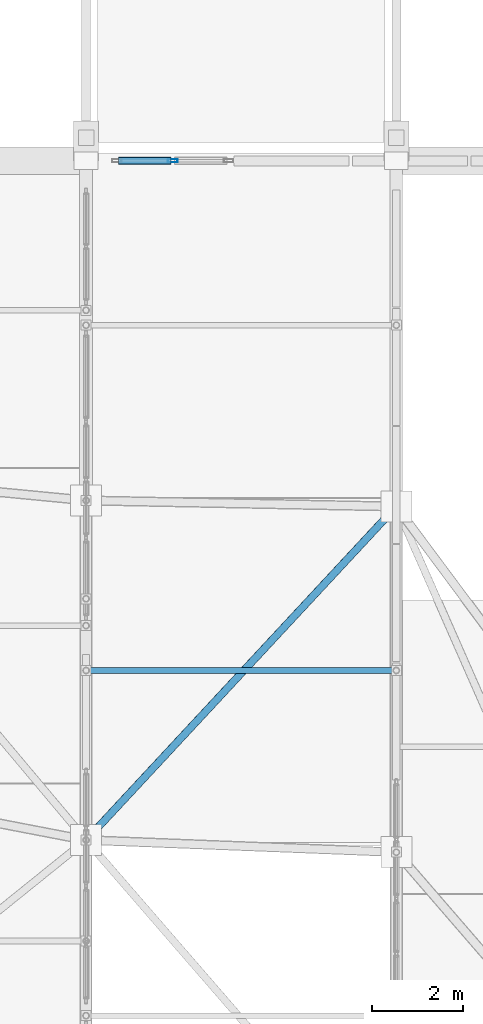
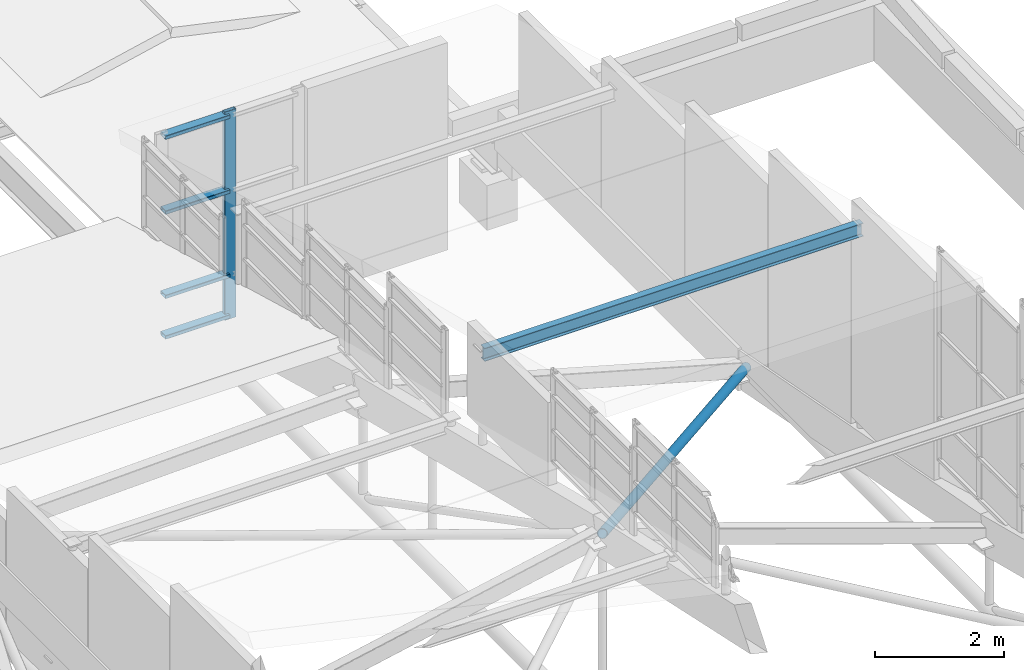
# One storey, part 59 of 188: 7 members, 1 element without a shape of its own.
"""IFC4 building model written with IfcOpenShell, lengths in metres."""

import ifcopenshell
import ifcopenshell.guid

model = None  # the IFC model being written
_history = None  # IfcOwnerHistory: only IFC2X3 demands one
_inside = {}  # id of a spatial element -> (the spatial element, [elements in it])
_under = {}  # id of a project, library or spatial element -> (it, [spatial elements below it])
_declared = {}  # id of a project -> (the project, [libraries it declares])
_typed = {}  # id of a type object -> (the type object, [elements of that type])
_made_of = {}  # id of a material, layer set ... -> (it, [elements and type objects made of it])


def new_model(schema):
    """Start an empty IFC model of exactly this schema.

    Asked for "IFC4X3", IfcOpenShell would pick the latest addendum, in which some entities
    have other attributes; the version numbers below select the first issue.
    IFC2X3 requires an IfcOwnerHistory on every rooted entity: one is made here for all.
    """
    global model, _history
    if schema == "IFC4X3":
        model = ifcopenshell.file(schema_version=(4, 3, 0, 0))
    else:
        model = ifcopenshell.file(schema=schema)
    _inside.clear()
    _under.clear()
    _declared.clear()
    _typed.clear()
    _made_of.clear()
    _history = None
    if model.schema == "IFC2X3":
        org = make("IfcOrganization", Name="unknown")
        user = make(
            "IfcPersonAndOrganization",
            ThePerson=make("IfcPerson", FamilyName="unknown"),
            TheOrganization=org,
        )
        app = make(
            "IfcApplication",
            ApplicationDeveloper=org,
            Version="unknown",
            ApplicationFullName="unknown",
            ApplicationIdentifier="unknown",
        )
        _history = make(
            "IfcOwnerHistory",
            OwningUser=user,
            OwningApplication=app,
            ChangeAction="ADDED",
            CreationDate=0,
        )
    return model


def make(cls, **values):
    """One entity of the class cls with the attributes given. An attribute that is None is left unset."""
    return model.create_entity(
        cls, **{name: value for name, value in values.items() if value is not None}
    )


def rooted(cls, **values):
    """An entity with a GlobalId (a new one), such as an element, a storey or a relation."""
    return make(cls, GlobalId=ifcopenshell.guid.new(), OwnerHistory=_history, **values)


def si_unit(unit_type, name, prefix=None):
    """IfcSIUnit, for example si_unit("LENGTHUNIT", "METRE", prefix="MILLI")."""
    return make("IfcSIUnit", UnitType=unit_type, Prefix=prefix, Name=name)


def assignment(units):
    """IfcUnitAssignment: the units of a project."""
    return None if units is None else make("IfcUnitAssignment", Units=units)


def point(xyz):
    """IfcCartesianPoint."""
    return None if xyz is None else make("IfcCartesianPoint", Coordinates=xyz)


def direction(xyz):
    """IfcDirection."""
    return None if xyz is None else make("IfcDirection", DirectionRatios=xyz)


def frame(location, z_axis=None, x_axis=None):
    """IfcAxis2Placement3D, a coordinate frame: its origin and axes. An axis left out is left unset."""
    return make(
        "IfcAxis2Placement3D",
        Location=point(location),
        Axis=direction(z_axis),
        RefDirection=direction(x_axis),
    )


def frame_2d(location, x_axis=None):
    """IfcAxis2Placement2D, a coordinate frame in the plane: its origin and x axis."""
    return make(
        "IfcAxis2Placement2D", Location=point(location), RefDirection=direction(x_axis)
    )


def origin():
    """The frame at (0, 0, 0) with its axes left unset."""
    return frame((0.0, 0.0, 0.0))


def origin_2d():
    """The frame at (0, 0) in the plane with its x axis left unset."""
    return frame_2d((0.0, 0.0))


def place(relative_to, where):
    """IfcLocalPlacement: puts the frame where relative to a parent placement (None: the world)."""
    return make(
        "IfcLocalPlacement", PlacementRelTo=relative_to, RelativePlacement=where
    )


def context(
    kind, dimensions, precision=None, world=None, true_north=None, identifier=None
):
    """IfcGeometricRepresentationContext, for example the 3D "Model" context."""
    return make(
        "IfcGeometricRepresentationContext",
        ContextIdentifier=identifier,
        ContextType=kind,
        CoordinateSpaceDimension=dimensions,
        Precision=precision,
        WorldCoordinateSystem=world,
        TrueNorth=true_north,
    )


def subcontext(parent, identifier, kind, view, scale=None):
    """IfcGeometricRepresentationSubContext, for example "Body" below "Model"."""
    return make(
        "IfcGeometricRepresentationSubContext",
        ContextIdentifier=identifier,
        ContextType=kind,
        ParentContext=parent,
        TargetScale=scale,
        TargetView=view,
    )


def project(units=None, contexts=None):
    """IfcProject with its units and contexts."""
    return rooted(
        "IfcProject",
        Name="project",
        RepresentationContexts=contexts,
        UnitsInContext=assignment(units),
    )


def spatial(cls, under=None, at=None, **own):
    """A site, building, storey or space (cls), placed at a placement, below another one or the project."""
    s = rooted(cls, ObjectPlacement=at, **own)
    if under is not None:
        _under.setdefault(under.id(), (under, []))[1].append(s)
    return s


def profile(cls, at=None, kind="AREA", **sizes):
    """A parametric profile (cls). Its sizes go by their IFC names, for example OverallWidth=200.0."""
    return make(cls, ProfileType=kind, Position=at, **sizes)


def hollow_rectangle(**sizes):
    """IfcRectangleHollowProfileDef."""
    return profile("IfcRectangleHollowProfileDef", **sizes)


def hollow_circle(**sizes):
    """IfcCircleHollowProfileDef."""
    return profile("IfcCircleHollowProfileDef", **sizes)


def i_section(**sizes):
    """IfcIShapeProfileDef."""
    return profile("IfcIShapeProfileDef", **sizes)


def extrude(swept, where, along, depth):
    """IfcExtrudedAreaSolid: the profile swept, set in the frame where, extruded along a direction by depth."""
    return make(
        "IfcExtrudedAreaSolid",
        SweptArea=swept,
        Position=where,
        ExtrudedDirection=direction(along),
        Depth=depth,
    )


def shape(context_of_items, identifier, shape_type, items):
    """IfcShapeRepresentation: the items that make up one representation, for example the "Body"."""
    return make(
        "IfcShapeRepresentation",
        ContextOfItems=context_of_items,
        RepresentationIdentifier=identifier,
        RepresentationType=shape_type,
        Items=items,
    )


def material(Name=None, Category=None):
    """IfcMaterial."""
    return make("IfcMaterial", Name=Name, Category=Category)


def layer(
    of_material, thickness, ventilated=None, Name=None, Category=None, Priority=None
):
    """IfcMaterialLayer: one layer of a wall or slab, of a material (None: an air gap)."""
    return make(
        "IfcMaterialLayer",
        Material=of_material,
        LayerThickness=thickness,
        IsVentilated=ventilated,
        Name=Name,
        Category=Category,
        Priority=Priority,
    )


def layer_set(layers, Name=None):
    """IfcMaterialLayerSet."""
    return make("IfcMaterialLayerSet", MaterialLayers=layers, LayerSetName=Name)


def material_profile(
    of_material, cross_section, Name=None, Category=None, Priority=None
):
    """IfcMaterialProfile: a cross section and its material."""
    return make(
        "IfcMaterialProfile",
        Name=Name,
        Material=of_material,
        Profile=cross_section,
        Priority=Priority,
        Category=Category,
    )


def profile_set(profiles, Name=None, composite=None):
    """IfcMaterialProfileSet."""
    return make(
        "IfcMaterialProfileSet",
        Name=Name,
        MaterialProfiles=profiles,
        CompositeProfile=composite,
    )


def made_of(thing, what):
    """Note that an element or type object is made of a material, layer set ...; save() writes the relation."""
    if what is not None:
        _made_of.setdefault(what.id(), (what, []))[1].append(thing)
    return thing


def type_object(cls, material=None, **own):
    """A type object (cls), such as IfcWallType, which elements share."""
    return made_of(rooted(cls, **own), material)


def element(
    cls,
    number,
    at=None,
    inside=None,
    cuts=None,
    type_object=None,
    material=None,
    context=None,
    identifier="Body",
    shape_type=None,
    held_by="IfcProductDefinitionShape",
    body=None,
    shapes=None,
    **own,
):
    """One element of the class cls, such as IfcWall. Its Tag is "e" and its number.

    at: its placement. inside: the storey or other place that contains it. cuts: it is an
    opening in that element (IfcRelVoidsElement). A single representation is given by context,
    identifier, shape_type and body (its items); several are given by shapes. held_by: the class
    of the entity that holds the representations. save() writes the other relations.
    """
    e = rooted(cls, Tag="e%d" % number, ObjectPlacement=at, **own)
    if body is not None:
        shapes = [shape(context, identifier, shape_type, body)]
    if shapes is not None:
        e.Representation = make(held_by, Representations=shapes)
    if inside is not None:
        _inside.setdefault(inside.id(), (inside, []))[1].append(e)
    if cuts is not None:
        rooted(
            "IfcRelVoidsElement", RelatingBuildingElement=cuts, RelatedOpeningElement=e
        )
    if type_object is not None:
        _typed.setdefault(type_object.id(), (type_object, []))[1].append(e)
    return made_of(e, material)


def aggregate(whole, parts):
    """IfcRelAggregates: a whole, such as a stair, and the parts it consists of."""
    return rooted("IfcRelAggregates", RelatingObject=whole, RelatedObjects=parts)


def save(model, path):
    """Write the relations noted so far, then the file.

    IfcRelAggregates (storeys below a building ...), IfcRelContainedInSpatialStructure (elements
    in a storey), IfcRelDefinesByType, IfcRelAssociatesMaterial and IfcRelDeclares: one each for
    every whole, place, type object, material and project.
    """
    for whole, parts in _under.values():
        aggregate(whole, parts)
    for where, things in _inside.values():
        rooted(
            "IfcRelContainedInSpatialStructure",
            RelatedElements=things,
            RelatingStructure=where,
        )
    for kind, things in _typed.values():
        rooted("IfcRelDefinesByType", RelatedObjects=things, RelatingType=kind)
    for what, things in _made_of.values():
        rooted("IfcRelAssociatesMaterial", RelatedObjects=things, RelatingMaterial=what)
    for by, libraries in _declared.values():
        rooted("IfcRelDeclares", RelatingContext=by, RelatedDefinitions=libraries)
    model.write(path)


model = new_model("IFC4")

# Units and contexts
model_context = context("Model", 3, precision=1e-05, world=origin(), true_north=direction((0.0, 1.0)))
body_context = subcontext(model_context, "Body", "Model", "MODEL_VIEW")
ifc_project = project(units=[si_unit("LENGTHUNIT", "METRE"), si_unit("AREAUNIT", "SQUARE_METRE"), si_unit("VOLUMEUNIT", "CUBIC_METRE"), si_unit("PLANEANGLEUNIT", "RADIAN"), si_unit("MASSUNIT", "GRAM", prefix="KILO")], contexts=[model_context])

# Site, building, storey
site_placement = place(None, origin())
site = spatial("IfcSite", under=ifc_project, at=site_placement, CompositionType="ELEMENT")
building_placement = place(site_placement, origin())
building = spatial("IfcBuilding", under=site, at=building_placement, Name="Kisaragi Civic Commons", CompositionType="ELEMENT")
storey_placement = place(building_placement, frame((0.0, 0.0, 9.60009765625)))
storey = spatial("IfcBuildingStorey", under=building, at=storey_placement, Name="L02", CompositionType="ELEMENT", Elevation=9.60009765625)

# Member
ifc_material_1 = material(Name="Steel SN400 (SN400B)", Category="steel")
ifc_material_profile_1 = material_profile(ifc_material_1, hollow_circle(Radius=0.08251953125, WallThickness=0.006103515625, at=origin_2d()), Name="CHS-165.2x6.0", Category="steel")
ifc_profile_set_1 = profile_set([ifc_material_profile_1], Name="Steel SN400 (SN400B)")
member_type_1 = type_object("IfcMemberType", Name="BR-02", PredefinedType="BRACE", material=ifc_profile_set_1)
member_1_placement = place(storey_placement, frame((13.60009765625, 47.51025390625, 3.15869140625), z_axis=(0.639420399846, 0.687608803525, -0.343999542988), x_axis=(-0.732301286125, 0.68098078265, 0.0)))
element("IfcMember", 1, at=member_1_placement, inside=storey, type_object=member_type_1, Name="V1 diagonal gridshell steel brace 18", PredefinedType="BRACE", context=body_context, shape_type="SweptSolid", body=[
    extrude(hollow_circle(Radius=0.08251953125, WallThickness=0.006103515625, at=origin_2d()), origin(), (0.0, 0.0, 1.0), 10.63427734375),
])

# Curtain wall, members
ifc_material_2 = material(Name="Thermally broken anodized aluminium and low-E double glazing", Category="aluminium")
ifc_layer = layer(ifc_material_2, 0.2099609375, Name="Thermally broken anodized aluminium and low-E double glazing", Category="aluminium")
ifc_layer_set = layer_set([ifc_layer], Name="Thermally broken anodized aluminium and low-E double glazing")
curtain_wall_type = type_object("IfcCurtainWallType", Name="CW-02", PredefinedType="NOTDEFINED", material=ifc_layer_set)
curtain_wall_placement = place(storey_placement, origin())
curtain_wall = element("IfcCurtainWall", 2, at=curtain_wall_placement, inside=storey, type_object=curtain_wall_type, Name="L02 curtain wall CW-02 CW-GAB-V1-174", PredefinedType="NOTDEFINED")
ifc_material_profile_2 = material_profile(ifc_material_2, hollow_rectangle(XDim=0.070068359375, YDim=0.2099609375, WallThickness=0.0048828125, InnerFilletRadius=0.0048828125, OuterFilletRadius=0.010009765625, at=origin_2d()), Name="CWM-70x210x5", Category="aluminium")
ifc_profile_set_2 = profile_set([ifc_material_profile_2], Name="Thermally broken anodized aluminium and low-E double glazing")
member_type_2 = type_object("IfcMemberType", Name="CWM-03", PredefinedType="MULLION", material=ifc_profile_set_2)
member_2_placement = place(storey_placement, frame((15.5, 62.39990234375, -2.43408203125), z_axis=(0.0, 0.0, 1.0), x_axis=(0.0, 1.0, 0.0)))
member_2 = element("IfcMember", 3, at=member_2_placement, type_object=member_type_2, Name="CW-02 mullion 2", PredefinedType="MULLION", context=body_context, shape_type="SweptSolid", body=[
    extrude(hollow_rectangle(XDim=0.070068359375, YDim=0.2099609375, WallThickness=0.0048828125, InnerFilletRadius=0.0048828125, OuterFilletRadius=0.010009765625, at=origin_2d()), origin(), (0.0, 0.0, 1.0), 3.95263671875),
])
ifc_material_profile_3 = material_profile(ifc_material_2, hollow_rectangle(XDim=0.159912109375, YDim=0.070068359375, WallThickness=0.0048828125, InnerFilletRadius=0.0048828125, OuterFilletRadius=0.010009765625, at=origin_2d()), Name="CWT-70x160x5", Category="aluminium")
ifc_profile_set_3 = profile_set([ifc_material_profile_3], Name="Thermally broken anodized aluminium and low-E double glazing")
member_type_3 = type_object("IfcMemberType", Name="CWT-03", PredefinedType="USERDEFINED", material=ifc_profile_set_3)
member_3_placement = place(storey_placement, frame((14.31005859375, 62.39990234375, -2.35400390625), z_axis=(1.0, 0.0, 0.0), x_axis=(0.0, 1.0, 0.0)))
member_3 = element("IfcMember", 4, at=member_3_placement, type_object=member_type_3, Name="CW-02 transom 1.1", ObjectType="TRANSOM", PredefinedType="USERDEFINED", context=body_context, shape_type="SweptSolid", body=[
    extrude(hollow_rectangle(XDim=0.159912109375, YDim=0.070068359375, WallThickness=0.0048828125, InnerFilletRadius=0.0048828125, OuterFilletRadius=0.010009765625, at=origin_2d()), origin(), (0.0, 0.0, 1.0), 1.155029296875),
])
member_4_placement = place(storey_placement, frame((14.31005859375, 62.39990234375, -1.583984375), z_axis=(1.0, 0.0, 0.0), x_axis=(0.0, 1.0, 0.0)))
member_4 = element("IfcMember", 5, at=member_4_placement, type_object=member_type_3, Name="CW-02 transom 1.2", ObjectType="TRANSOM", PredefinedType="USERDEFINED", context=body_context, shape_type="SweptSolid", body=[
    extrude(hollow_rectangle(XDim=0.159912109375, YDim=0.070068359375, WallThickness=0.0048828125, InnerFilletRadius=0.0048828125, OuterFilletRadius=0.010009765625, at=origin_2d()), origin(), (0.0, 0.0, 1.0), 1.155029296875),
])
member_5_placement = place(storey_placement, frame((14.31005859375, 62.39990234375, 0.015869140625), z_axis=(1.0, 0.0, 0.0), x_axis=(0.0, 1.0, 0.0)))
member_5 = element("IfcMember", 6, at=member_5_placement, type_object=member_type_3, Name="CW-02 transom 1.3", ObjectType="TRANSOM", PredefinedType="USERDEFINED", context=body_context, shape_type="SweptSolid", body=[
    extrude(hollow_rectangle(XDim=0.159912109375, YDim=0.070068359375, WallThickness=0.0048828125, InnerFilletRadius=0.0048828125, OuterFilletRadius=0.010009765625, at=origin_2d()), origin(), (0.0, 0.0, 1.0), 1.155029296875),
])
member_6_placement = place(storey_placement, frame((14.31005859375, 62.39990234375, 1.438720703125), z_axis=(1.0, 0.0, 0.0), x_axis=(0.0, 1.0, 0.0)))
member_6 = element("IfcMember", 7, at=member_6_placement, type_object=member_type_3, Name="CW-02 transom 1.4", ObjectType="TRANSOM", PredefinedType="USERDEFINED", context=body_context, shape_type="SweptSolid", body=[
    extrude(hollow_rectangle(XDim=0.159912109375, YDim=0.070068359375, WallThickness=0.0048828125, InnerFilletRadius=0.0048828125, OuterFilletRadius=0.010009765625, at=origin_2d()), origin(), (0.0, 0.0, 1.0), 1.155029296875),
])
aggregate(curtain_wall, [member_2, member_3, member_4, member_5, member_6])

# Member
ifc_material_profile_4 = material_profile(ifc_material_1, i_section(OverallWidth=0.125, OverallDepth=0.25, WebThickness=0.006103515625, FlangeThickness=0.009033203125, FilletRadius=0.008056640625, at=origin_2d()), Name="H-250x125x6x9", Category="steel")
ifc_profile_set_4 = profile_set([ifc_material_profile_4], Name="Steel SN400 (SN400B)")
member_type_4 = type_object("IfcMemberType", Name="PR-01", PredefinedType="PURLIN", material=ifc_profile_set_4)
member_7_placement = place(storey_placement, frame((13.60009765625, 51.22900390625, 4.332275390625), z_axis=(1.0, 0.0, 0.0), x_axis=(0.0, 1.0, 0.0)))
element("IfcMember", 8, at=member_7_placement, inside=storey, type_object=member_type_4, Name="V1 wave vault steel purlin 23", PredefinedType="PURLIN", context=body_context, shape_type="SweptSolid", body=[
    extrude(i_section(OverallWidth=0.125, OverallDepth=0.25, WebThickness=0.006103515625, FlangeThickness=0.009033203125, FilletRadius=0.008056640625, at=origin_2d()), origin(), (0.0, 0.0, 1.0), 6.7998046875),
])

save(model, "model.ifc")
